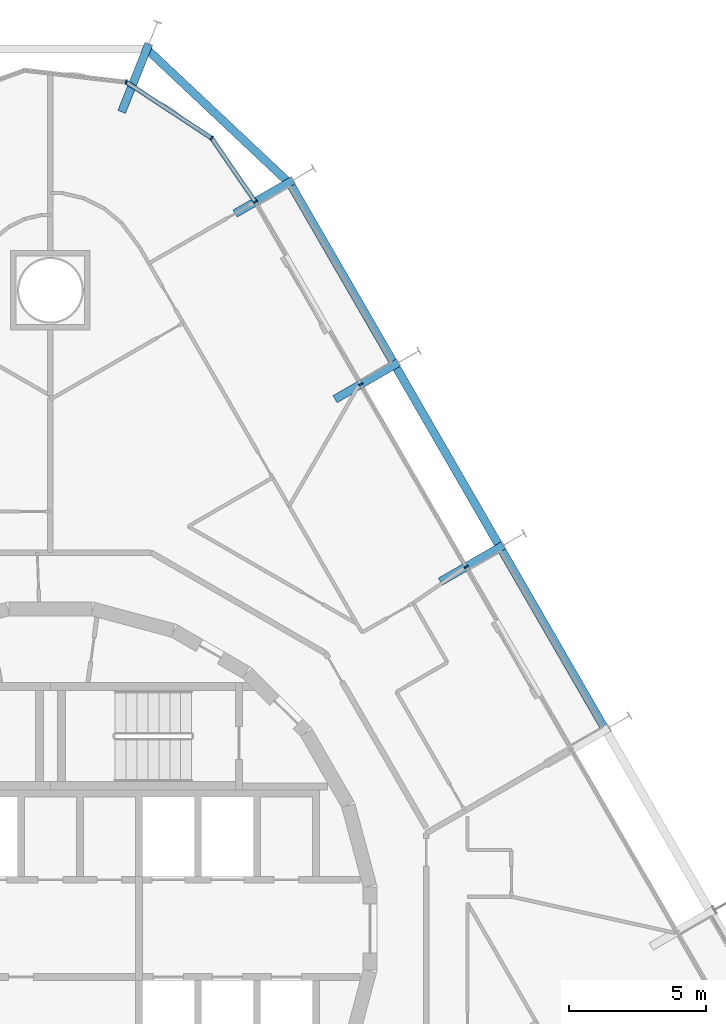
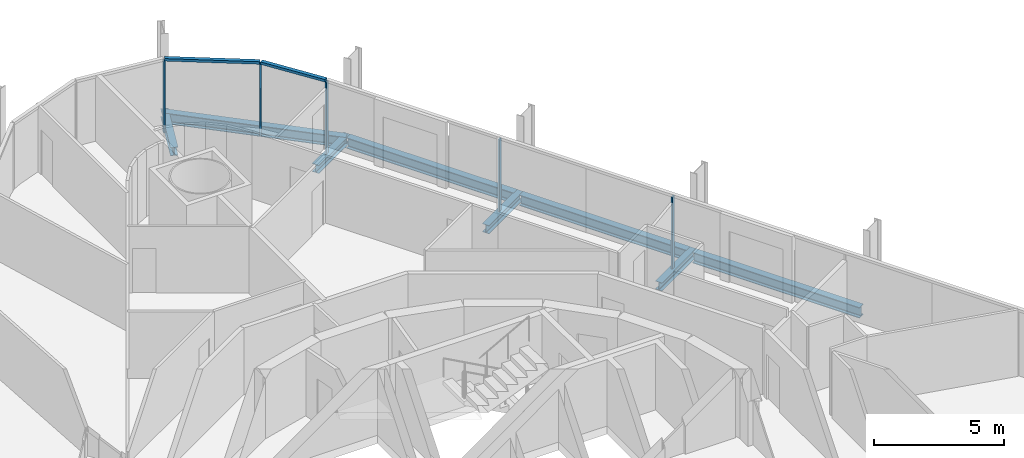
# One storey, part 10 of 21: 8 beams, 7 members, 2 elements without a shape of their own.
"""IFC4 building model written with IfcOpenShell, lengths in metres."""

import ifcopenshell
import ifcopenshell.guid

model = None  # the IFC model being written
_history = None  # IfcOwnerHistory: only IFC2X3 demands one
_inside = {}  # id of a spatial element -> (the spatial element, [elements in it])
_under = {}  # id of a project, library or spatial element -> (it, [spatial elements below it])
_declared = {}  # id of a project -> (the project, [libraries it declares])
_typed = {}  # id of a type object -> (the type object, [elements of that type])
_made_of = {}  # id of a material, layer set ... -> (it, [elements and type objects made of it])


def new_model(schema):
    """Start an empty IFC model of exactly this schema.

    Asked for "IFC4X3", IfcOpenShell would pick the latest addendum, in which some entities
    have other attributes; the version numbers below select the first issue.
    IFC2X3 requires an IfcOwnerHistory on every rooted entity: one is made here for all.
    """
    global model, _history
    if schema == "IFC4X3":
        model = ifcopenshell.file(schema_version=(4, 3, 0, 0))
    else:
        model = ifcopenshell.file(schema=schema)
    _inside.clear()
    _under.clear()
    _declared.clear()
    _typed.clear()
    _made_of.clear()
    _history = None
    if model.schema == "IFC2X3":
        org = make("IfcOrganization", Name="unknown")
        user = make(
            "IfcPersonAndOrganization",
            ThePerson=make("IfcPerson", FamilyName="unknown"),
            TheOrganization=org,
        )
        app = make(
            "IfcApplication",
            ApplicationDeveloper=org,
            Version="unknown",
            ApplicationFullName="unknown",
            ApplicationIdentifier="unknown",
        )
        _history = make(
            "IfcOwnerHistory",
            OwningUser=user,
            OwningApplication=app,
            ChangeAction="ADDED",
            CreationDate=0,
        )
    return model


def make(cls, **values):
    """One entity of the class cls with the attributes given. An attribute that is None is left unset."""
    return model.create_entity(
        cls, **{name: value for name, value in values.items() if value is not None}
    )


def rooted(cls, **values):
    """An entity with a GlobalId (a new one), such as an element, a storey or a relation."""
    return make(cls, GlobalId=ifcopenshell.guid.new(), OwnerHistory=_history, **values)


def si_unit(unit_type, name, prefix=None):
    """IfcSIUnit, for example si_unit("LENGTHUNIT", "METRE", prefix="MILLI")."""
    return make("IfcSIUnit", UnitType=unit_type, Prefix=prefix, Name=name)


def assignment(units):
    """IfcUnitAssignment: the units of a project."""
    return None if units is None else make("IfcUnitAssignment", Units=units)


def point(xyz):
    """IfcCartesianPoint."""
    return None if xyz is None else make("IfcCartesianPoint", Coordinates=xyz)


def direction(xyz):
    """IfcDirection."""
    return None if xyz is None else make("IfcDirection", DirectionRatios=xyz)


def frame(location, z_axis=None, x_axis=None):
    """IfcAxis2Placement3D, a coordinate frame: its origin and axes. An axis left out is left unset."""
    return make(
        "IfcAxis2Placement3D",
        Location=point(location),
        Axis=direction(z_axis),
        RefDirection=direction(x_axis),
    )


def frame_2d(location, x_axis=None):
    """IfcAxis2Placement2D, a coordinate frame in the plane: its origin and x axis."""
    return make(
        "IfcAxis2Placement2D", Location=point(location), RefDirection=direction(x_axis)
    )


def origin():
    """The frame at (0, 0, 0) with its axes left unset."""
    return frame((0.0, 0.0, 0.0))


def origin_2d():
    """The frame at (0, 0) in the plane with its x axis left unset."""
    return frame_2d((0.0, 0.0))


def place(relative_to, where):
    """IfcLocalPlacement: puts the frame where relative to a parent placement (None: the world)."""
    return make(
        "IfcLocalPlacement", PlacementRelTo=relative_to, RelativePlacement=where
    )


def context(
    kind, dimensions, precision=None, world=None, true_north=None, identifier=None
):
    """IfcGeometricRepresentationContext, for example the 3D "Model" context."""
    return make(
        "IfcGeometricRepresentationContext",
        ContextIdentifier=identifier,
        ContextType=kind,
        CoordinateSpaceDimension=dimensions,
        Precision=precision,
        WorldCoordinateSystem=world,
        TrueNorth=true_north,
    )


def subcontext(parent, identifier, kind, view, scale=None):
    """IfcGeometricRepresentationSubContext, for example "Body" below "Model"."""
    return make(
        "IfcGeometricRepresentationSubContext",
        ContextIdentifier=identifier,
        ContextType=kind,
        ParentContext=parent,
        TargetScale=scale,
        TargetView=view,
    )


def project(units=None, contexts=None):
    """IfcProject with its units and contexts."""
    return rooted(
        "IfcProject",
        Name="project",
        RepresentationContexts=contexts,
        UnitsInContext=assignment(units),
    )


def spatial(cls, under=None, at=None, **own):
    """A site, building, storey or space (cls), placed at a placement, below another one or the project."""
    s = rooted(cls, ObjectPlacement=at, **own)
    if under is not None:
        _under.setdefault(under.id(), (under, []))[1].append(s)
    return s


def profile(cls, at=None, kind="AREA", **sizes):
    """A parametric profile (cls). Its sizes go by their IFC names, for example OverallWidth=200.0."""
    return make(cls, ProfileType=kind, Position=at, **sizes)


def rectangle(**sizes):
    """IfcRectangleProfileDef."""
    return profile("IfcRectangleProfileDef", **sizes)


def i_section(**sizes):
    """IfcIShapeProfileDef."""
    return profile("IfcIShapeProfileDef", **sizes)


def extrude(swept, where, along, depth):
    """IfcExtrudedAreaSolid: the profile swept, set in the frame where, extruded along a direction by depth."""
    return make(
        "IfcExtrudedAreaSolid",
        SweptArea=swept,
        Position=where,
        ExtrudedDirection=direction(along),
        Depth=depth,
    )


def shape(context_of_items, identifier, shape_type, items):
    """IfcShapeRepresentation: the items that make up one representation, for example the "Body"."""
    return make(
        "IfcShapeRepresentation",
        ContextOfItems=context_of_items,
        RepresentationIdentifier=identifier,
        RepresentationType=shape_type,
        Items=items,
    )


def material(Name=None, Category=None):
    """IfcMaterial."""
    return make("IfcMaterial", Name=Name, Category=Category)


def layer(
    of_material, thickness, ventilated=None, Name=None, Category=None, Priority=None
):
    """IfcMaterialLayer: one layer of a wall or slab, of a material (None: an air gap)."""
    return make(
        "IfcMaterialLayer",
        Material=of_material,
        LayerThickness=thickness,
        IsVentilated=ventilated,
        Name=Name,
        Category=Category,
        Priority=Priority,
    )


def layer_set(layers, Name=None):
    """IfcMaterialLayerSet."""
    return make("IfcMaterialLayerSet", MaterialLayers=layers, LayerSetName=Name)


def material_profile(
    of_material, cross_section, Name=None, Category=None, Priority=None
):
    """IfcMaterialProfile: a cross section and its material."""
    return make(
        "IfcMaterialProfile",
        Name=Name,
        Material=of_material,
        Profile=cross_section,
        Priority=Priority,
        Category=Category,
    )


def profile_set(profiles, Name=None, composite=None):
    """IfcMaterialProfileSet."""
    return make(
        "IfcMaterialProfileSet",
        Name=Name,
        MaterialProfiles=profiles,
        CompositeProfile=composite,
    )


def made_of(thing, what):
    """Note that an element or type object is made of a material, layer set ...; save() writes the relation."""
    if what is not None:
        _made_of.setdefault(what.id(), (what, []))[1].append(thing)
    return thing


def type_object(cls, material=None, **own):
    """A type object (cls), such as IfcWallType, which elements share."""
    return made_of(rooted(cls, **own), material)


def element(
    cls,
    number,
    at=None,
    inside=None,
    cuts=None,
    type_object=None,
    material=None,
    context=None,
    identifier="Body",
    shape_type=None,
    held_by="IfcProductDefinitionShape",
    body=None,
    shapes=None,
    **own,
):
    """One element of the class cls, such as IfcWall. Its Tag is "e" and its number.

    at: its placement. inside: the storey or other place that contains it. cuts: it is an
    opening in that element (IfcRelVoidsElement). A single representation is given by context,
    identifier, shape_type and body (its items); several are given by shapes. held_by: the class
    of the entity that holds the representations. save() writes the other relations.
    """
    e = rooted(cls, Tag="e%d" % number, ObjectPlacement=at, **own)
    if body is not None:
        shapes = [shape(context, identifier, shape_type, body)]
    if shapes is not None:
        e.Representation = make(held_by, Representations=shapes)
    if inside is not None:
        _inside.setdefault(inside.id(), (inside, []))[1].append(e)
    if cuts is not None:
        rooted(
            "IfcRelVoidsElement", RelatingBuildingElement=cuts, RelatedOpeningElement=e
        )
    if type_object is not None:
        _typed.setdefault(type_object.id(), (type_object, []))[1].append(e)
    return made_of(e, material)


def aggregate(whole, parts):
    """IfcRelAggregates: a whole, such as a stair, and the parts it consists of."""
    return rooted("IfcRelAggregates", RelatingObject=whole, RelatedObjects=parts)


def save(model, path):
    """Write the relations noted so far, then the file.

    IfcRelAggregates (storeys below a building ...), IfcRelContainedInSpatialStructure (elements
    in a storey), IfcRelDefinesByType, IfcRelAssociatesMaterial and IfcRelDeclares: one each for
    every whole, place, type object, material and project.
    """
    for whole, parts in _under.values():
        aggregate(whole, parts)
    for where, things in _inside.values():
        rooted(
            "IfcRelContainedInSpatialStructure",
            RelatedElements=things,
            RelatingStructure=where,
        )
    for kind, things in _typed.values():
        rooted("IfcRelDefinesByType", RelatedObjects=things, RelatingType=kind)
    for what, things in _made_of.values():
        rooted("IfcRelAssociatesMaterial", RelatedObjects=things, RelatingMaterial=what)
    for by, libraries in _declared.values():
        rooted("IfcRelDeclares", RelatingContext=by, RelatedDefinitions=libraries)
    model.write(path)


model = new_model("IFC4")

# Units and contexts
model_context = context("Model", 3, precision=1e-05, world=origin(), true_north=direction((0.0, 1.0)))
body_context = subcontext(model_context, "Body", "Model", "MODEL_VIEW")
ifc_project = project(units=[si_unit("LENGTHUNIT", "METRE"), si_unit("AREAUNIT", "SQUARE_METRE"), si_unit("VOLUMEUNIT", "CUBIC_METRE"), si_unit("PLANEANGLEUNIT", "RADIAN"), si_unit("MASSUNIT", "GRAM", prefix="KILO")], contexts=[model_context])

# Site, building, storey
site_placement = place(None, origin())
site = spatial("IfcSite", under=ifc_project, at=site_placement, CompositionType="ELEMENT")
building_placement = place(site_placement, origin())
building = spatial("IfcBuilding", under=site, at=building_placement, Name="Spindle Arch Residences", CompositionType="ELEMENT")
storey_placement = place(building_placement, frame((0.0, 0.0, 55.89990234375)))
storey = spatial("IfcBuildingStorey", under=building, at=storey_placement, Name="L12", CompositionType="ELEMENT", Elevation=55.89990234375)

# Curtain wall, members
ifc_material_1 = material(Name="Aluminium bronze unitised frame with tinted glass", Category="aluminium")
ifc_layer_1 = layer(ifc_material_1, 0.159912109375)
ifc_layer_set_1 = layer_set([ifc_layer_1], Name="CW-C typical residential unitised wall")
curtain_wall_type_1 = type_object("IfcCurtainWallType", Name="CW-C typical residential unitised wall", PredefinedType="NOTDEFINED", material=ifc_layer_set_1)
curtain_wall_1_placement = place(storey_placement, origin())
curtain_wall_1 = element("IfcCurtainWall", 1, at=curtain_wall_1_placement, inside=storey, type_object=curtain_wall_type_1, Name="CW-C L12 run 2", PredefinedType="NOTDEFINED")
ifc_material_2 = material(Name="Aluminium bronze anodised mullion", Category="aluminium")
ifc_material_profile_1 = material_profile(ifc_material_2, rectangle(XDim=0.159912109375, YDim=0.06005859375, at=origin_2d()), Name="MU 60x160")
ifc_profile_set_1 = profile_set([ifc_material_profile_1], Name="Aluminium bronze anodised mullion")
member_type_1 = type_object("IfcMemberType", Name="Bronze mullion 60x160", PredefinedType="MULLION", material=ifc_profile_set_1)
member_1_placement = place(storey_placement, frame((15.149169921875, 13.180419921875, -0.3798828125), z_axis=(0.0, 0.0, 1.0), x_axis=(-0.866025403784, -0.5, 0.0)))
member_1 = element("IfcMember", 2, at=member_1_placement, type_object=member_type_1, Name="CW-C mullion 08", PredefinedType="MULLION", context=body_context, shape_type="SweptSolid", body=[
    extrude(rectangle(XDim=0.159912109375, YDim=0.06005859375, at=origin_2d()), origin(), (0.0, 0.0, 1.0), 3.3798828125),
])
member_2_placement = place(storey_placement, frame((11.309326171875, 19.83154296875, -0.3798828125), z_axis=(0.0, 0.0, 1.0), x_axis=(-0.866025403784, -0.5, 0.0)))
member_2 = element("IfcMember", 3, at=member_2_placement, type_object=member_type_1, Name="CW-C mullion 09", PredefinedType="MULLION", context=body_context, shape_type="SweptSolid", body=[
    extrude(rectangle(XDim=0.159912109375, YDim=0.06005859375, at=origin_2d()), origin(), (0.0, 0.0, 1.0), 3.3798828125),
])
aggregate(curtain_wall_1, [member_1, member_2])

ifc_material_3 = material(Name="Aluminium bronze unitised frame with tinted glass", Category="aluminium")
ifc_layer_2 = layer(ifc_material_3, 0.159912109375)
ifc_layer_set_2 = layer_set([ifc_layer_2], Name="CW-D corner wall on the fillet arcs")
curtain_wall_type_2 = type_object("IfcCurtainWallType", Name="CW-D corner wall on the fillet arcs", PredefinedType="NOTDEFINED", material=ifc_layer_set_2)
curtain_wall_2_placement = place(storey_placement, origin())
curtain_wall_2 = element("IfcCurtainWall", 4, at=curtain_wall_2_placement, inside=storey, type_object=curtain_wall_type_2, Name="CW-D L12 run 3", PredefinedType="NOTDEFINED")
member_3_placement = place(storey_placement, frame((7.46923828125, 26.48291015625, -0.3798828125), z_axis=(0.0, 0.0, 1.0), x_axis=(-0.824747802142, -0.565500718711, 0.0)))
member_3 = element("IfcMember", 5, at=member_3_placement, type_object=member_type_1, Name="CW-D mullion 00", PredefinedType="MULLION", context=body_context, shape_type="SweptSolid", body=[
    extrude(rectangle(XDim=0.159912109375, YDim=0.06005859375, at=origin_2d()), origin(), (0.0, 0.0, 1.0), 3.3798828125),
])
member_4_placement = place(storey_placement, frame((5.877197265625, 28.8046875, -0.3798828125), z_axis=(0.0, 0.0, 1.0), x_axis=(-0.549508977628, -0.835487811704, 0.0)))
member_4 = element("IfcMember", 6, at=member_4_placement, type_object=member_type_1, Name="CW-D mullion 01", PredefinedType="MULLION", context=body_context, shape_type="SweptSolid", body=[
    extrude(rectangle(XDim=0.159912109375, YDim=0.06005859375, at=origin_2d()), origin(), (0.0, 0.0, 1.0), 3.3798828125),
])
member_5_placement = place(storey_placement, frame((2.763427734375, 30.8525390625, -0.3798828125), z_axis=(0.0, 0.0, 1.0), x_axis=(-0.116092915414, -0.993238357591, 0.0)))
member_5 = element("IfcMember", 7, at=member_5_placement, type_object=member_type_1, Name="CW-D mullion 02", PredefinedType="MULLION", context=body_context, shape_type="SweptSolid", body=[
    extrude(rectangle(XDim=0.159912109375, YDim=0.06005859375, at=origin_2d()), origin(), (0.0, 0.0, 1.0), 3.3798828125),
])
ifc_material_4 = material(Name="Aluminium bronze anodised transom", Category="aluminium")
ifc_material_profile_2 = material_profile(ifc_material_4, rectangle(XDim=0.159912109375, YDim=0.1201171875, at=origin_2d()), Name="TR 120x160")
ifc_profile_set_2 = profile_set([ifc_material_profile_2], Name="Aluminium bronze anodised transom")
member_type_2 = type_object("IfcMemberType", Name="Bronze transom 120x160", PredefinedType="USERDEFINED", material=ifc_profile_set_2)
member_6_placement = place(storey_placement, frame((7.4521484375, 26.507568359375, 3.06005859375), z_axis=(-0.565490471855, 0.824754827958, 0.0), x_axis=(-0.824754827958, -0.565490471855, 0.0)))
member_6 = element("IfcMember", 8, at=member_6_placement, type_object=member_type_2, Name="CW-D transom 00", ObjectType="TRANSOM", PredefinedType="USERDEFINED", context=body_context, shape_type="SweptSolid", body=[
    extrude(rectangle(XDim=0.159912109375, YDim=0.1201171875, at=origin_2d()), origin(), (0.0, 0.0, 1.0), 2.75537109375),
])
member_7_placement = place(storey_placement, frame((5.85205078125, 28.821044921875, 3.06005859375), z_axis=(-0.835486265536, 0.549511328456, 0.0), x_axis=(-0.549511328456, -0.835486265536, 0.0)))
member_7 = element("IfcMember", 9, at=member_7_placement, type_object=member_type_2, Name="CW-D transom 01", ObjectType="TRANSOM", PredefinedType="USERDEFINED", context=body_context, shape_type="SweptSolid", body=[
    extrude(rectangle(XDim=0.159912109375, YDim=0.1201171875, at=origin_2d()), origin(), (0.0, 0.0, 1.0), 3.666748046875),
])
aggregate(curtain_wall_2, [member_3, member_6, member_4, member_7, member_5])

# Beams
ifc_material_5 = material(Name="Steel S460ML, intumescent coating R 120", Category="steel")
ifc_material_profile_3 = material_profile(ifc_material_5, i_section(OverallWidth=0.300048828125, OverallDepth=0.5, WebThickness=0.014404296875, FlangeThickness=0.028076171875, FilletRadius=0.027099609375, at=origin_2d()), Name="HEB 500")
ifc_profile_set_3 = profile_set([ifc_material_profile_3], Name="Steel S460ML, intumescent coating R 120")
beam_type_1 = type_object("IfcBeamType", Name="Exoskeleton edge beam HEB 500", PredefinedType="BEAM", material=ifc_profile_set_3)
for number, where, z_axis, x_axis, name in (
    (10, (20.165283203125, 7.3583984375, -0.6298828125), (-0.5000139068, 0.866017374541, 0.0), (-0.866017374541, -0.5000139068, 0.0), "Exoskeleton edge beam 8"),
    (11, (16.3251953125, 14.009521484375, -0.6298828125), (-0.49998923004, 0.866031621735, 0.0), (-0.866031621735, -0.49998923004, 0.0), "Exoskeleton edge beam 9"),
):
    element("IfcBeam", number, at=place(storey_placement, frame(where, z_axis=z_axis, x_axis=x_axis)), inside=storey, type_object=beam_type_1, Name=name, PredefinedType="BEAM", context=body_context, shape_type="SweptSolid", body=[
        extrude(i_section(OverallWidth=0.300048828125, OverallDepth=0.5, WebThickness=0.014404296875, FlangeThickness=0.028076171875, FilletRadius=0.027099609375, at=origin_2d()), origin(), (0.0, 0.0, 1.0), 7.420166015625),
    ])
beam_1_placement = place(storey_placement, frame((12.485107421875, 20.660888671875, -0.6298828125), z_axis=(-0.500003477455, 0.866023396066, 0.0), x_axis=(-0.866023396066, -0.500003477455, 0.0)))
element("IfcBeam", 12, at=beam_1_placement, inside=storey, type_object=beam_type_1, Name="Exoskeleton edge beam 10", PredefinedType="BEAM", context=body_context, shape_type="SweptSolid", body=[
    extrude(i_section(OverallWidth=0.300048828125, OverallDepth=0.5, WebThickness=0.014404296875, FlangeThickness=0.028076171875, FilletRadius=0.027099609375, at=origin_2d()), origin(), (0.0, 0.0, 1.0), 7.419921875),
])
beam_2_placement = place(storey_placement, frame((8.739501953125, 27.13818359375, -0.6298828125), z_axis=(-0.728394714383, 0.685157748303, 0.0), x_axis=(-0.685157748303, -0.728394714383, 0.0)))
element("IfcBeam", 13, at=beam_2_placement, inside=storey, type_object=beam_type_1, Name="Exoskeleton edge beam 11", PredefinedType="BEAM", context=body_context, shape_type="SweptSolid", body=[
    extrude(i_section(OverallWidth=0.300048828125, OverallDepth=0.5, WebThickness=0.014404296875, FlangeThickness=0.028076171875, FilletRadius=0.027099609375, at=origin_2d()), origin(), (0.0, 0.0, 1.0), 7.250244140625),
])
ifc_material_6 = material(Name="Steel S460ML, intumescent coating R 120", Category="steel")
ifc_material_profile_4 = material_profile(ifc_material_6, i_section(OverallWidth=0.300048828125, OverallDepth=0.389892578125, WebThickness=0.010986328125, FlangeThickness=0.01904296875, FilletRadius=0.027099609375, at=origin_2d()), Name="HEA 400")
ifc_profile_set_4 = profile_set([ifc_material_profile_4], Name="Steel S460ML, intumescent coating R 120")
beam_type_2 = type_object("IfcBeamType", Name="Floor outrigger HEA 400", PredefinedType="BEAM", material=ifc_profile_set_4)
for number, where, z_axis, x_axis, name in (
    (14, (16.5087890625, 13.965576171875, -0.574951171875), (-0.865989200783, -0.500062700197, 0.0), (0.500062700197, -0.865989200783, 0.0), "Floor outrigger 9"),
    (15, (12.6689453125, 20.61669921875, -0.574951171875), (-0.866052124492, -0.499953715521, 0.0), (0.499953715521, -0.866052124492, 0.0), "Floor outrigger 10"),
):
    element("IfcBeam", number, at=place(storey_placement, frame(where, z_axis=z_axis, x_axis=x_axis)), inside=storey, type_object=beam_type_2, Name=name, PredefinedType="BEAM", context=body_context, shape_type="SweptSolid", body=[
        extrude(i_section(OverallWidth=0.300048828125, OverallDepth=0.389892578125, WebThickness=0.010986328125, FlangeThickness=0.01904296875, FilletRadius=0.027099609375, at=origin_2d()), origin(), (0.0, 0.0, 1.0), 2.650146484375),
    ])
beam_3_placement = place(storey_placement, frame((8.828857421875, 27.267822265625, -0.574951171875), z_axis=(-0.866002732682, -0.500039265445, 0.0), x_axis=(0.500039265445, -0.866002732682, 0.0)))
element("IfcBeam", 16, at=beam_3_placement, inside=storey, type_object=beam_type_2, Name="Floor outrigger 11", PredefinedType="BEAM", context=body_context, shape_type="SweptSolid", body=[
    extrude(i_section(OverallWidth=0.300048828125, OverallDepth=0.389892578125, WebThickness=0.010986328125, FlangeThickness=0.01904296875, FilletRadius=0.027099609375, at=origin_2d()), origin(), (0.0, 0.0, 1.0), 2.423583984375),
])
beam_4_placement = place(storey_placement, frame((3.581298828125, 32.220703125, -0.574951171875), z_axis=(-0.371104734129, -0.928591016706, 0.0), x_axis=(0.928591016706, -0.371104734129, 0.0)))
element("IfcBeam", 17, at=beam_4_placement, inside=storey, type_object=beam_type_2, Name="Floor outrigger 12", PredefinedType="BEAM", context=body_context, shape_type="SweptSolid", body=[
    extrude(i_section(OverallWidth=0.300048828125, OverallDepth=0.389892578125, WebThickness=0.010986328125, FlangeThickness=0.01904296875, FilletRadius=0.027099609375, at=origin_2d()), origin(), (0.0, 0.0, 1.0), 2.64990234375),
])

save(model, "model.ifc")
